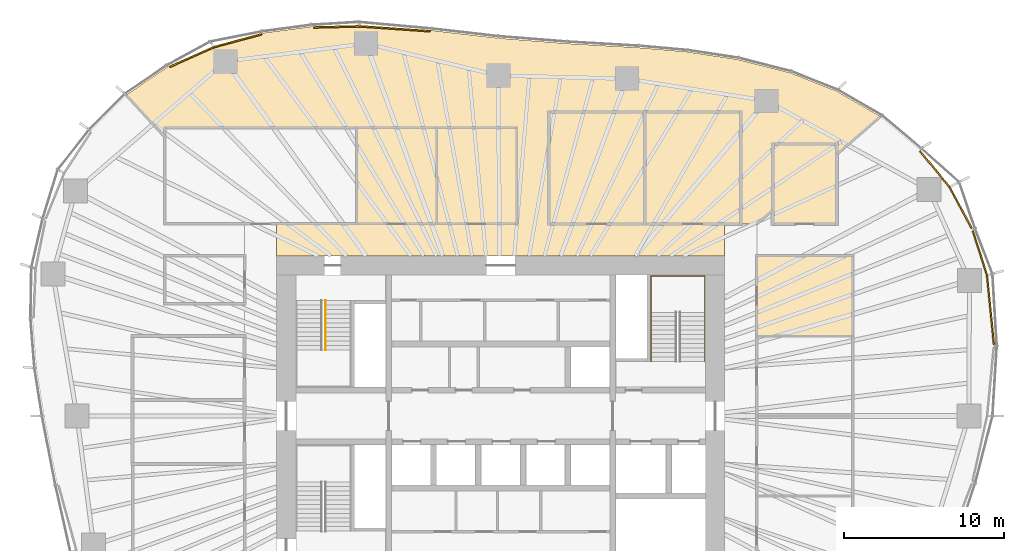
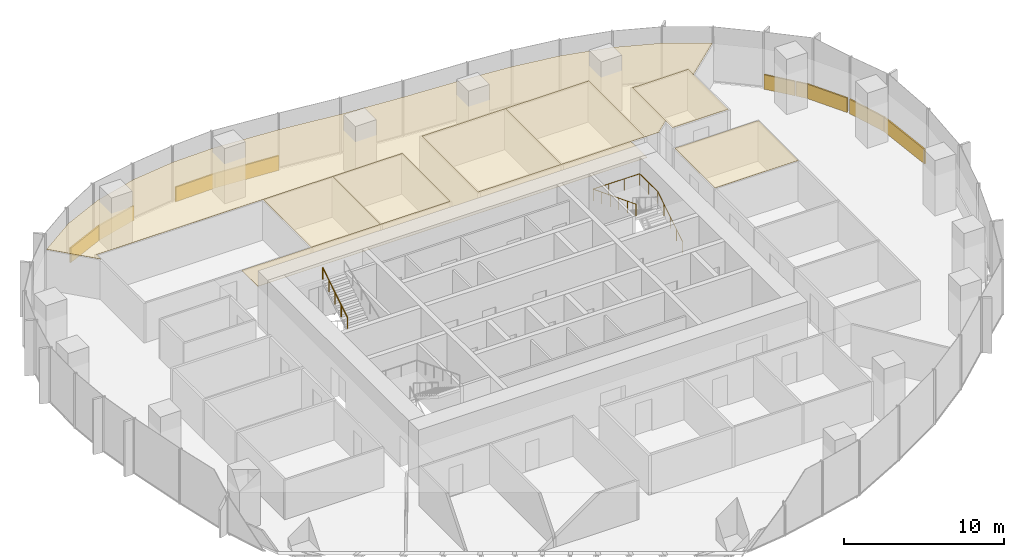
# One storey, part 18 of 18: 16 coverings, 2 railings.
"""IFC4 building model written with IfcOpenShell, lengths in metres."""

from ifc_helpers import new_model, si_unit, direction, frame, origin, origin_2d, place, context, subcontext, project, spatial, polyline, rectangle, circle, outline, extrude, material, layer, layer_set, type_object, element, save


model = new_model("IFC4")

# Units and contexts
model_context = context("Model", 3, precision=1e-05, world=origin(), true_north=direction((0.0, 1.0)))
body_context = subcontext(model_context, "Body", "Model", "MODEL_VIEW")
ifc_project = project(units=[si_unit("LENGTHUNIT", "METRE"), si_unit("AREAUNIT", "SQUARE_METRE"), si_unit("VOLUMEUNIT", "CUBIC_METRE"), si_unit("PLANEANGLEUNIT", "RADIAN"), si_unit("MASSUNIT", "GRAM", prefix="KILO")], contexts=[model_context])

# Site, building, storey
site_placement = place(None, origin())
site = spatial("IfcSite", under=ifc_project, at=site_placement, CompositionType="ELEMENT")
building_placement = place(site_placement, origin())
building = spatial("IfcBuilding", under=site, at=building_placement, Name="Ghaith Harvest Tower", CompositionType="ELEMENT")
storey_placement = place(building_placement, frame((0.0, 0.0, 130.199951171875)))
storey = spatial("IfcBuildingStorey", under=building, at=storey_placement, Name="L27", CompositionType="ELEMENT", Elevation=130.199951171875)

# Coverings
ifc_material_1 = material(Name="Mineral fibre ceiling tile", Category="gypsum")
ifc_layer_1 = layer(ifc_material_1, 0.02001953125)
ifc_layer_set_1 = layer_set([ifc_layer_1], Name="CEILING C1")
covering_type_1 = type_object("IfcCoveringType", Name="CEILING C1", PredefinedType="CEILING", material=ifc_layer_set_1)
covering_1_placement = place(storey_placement, frame((0.0, 0.0, 3.0)))
element("IfcCovering", 1, at=covering_1_placement, inside=storey, type_object=covering_type_1, Name="Ceiling L27-02", PredefinedType="CEILING", context=body_context, shape_type="SweptSolid", body=[
    extrude(outline(polyline([(-9.0, 12.0), (-4.0, 12.0), (-4.0, 18.0), (-9.0, 18.0), (-9.0, 12.0)])), origin(), (0.0, 0.0, 1.0), 0.02001953125),
])
covering_2_placement = place(storey_placement, frame((0.0, 0.0, 3.0)))
element("IfcCovering", 2, at=covering_2_placement, inside=storey, type_object=covering_type_1, Name="Ceiling L27-03", PredefinedType="CEILING", context=body_context, shape_type="SweptSolid", body=[
    extrude(outline(polyline([(-4.0, 12.0), (1.0, 12.0), (1.0, 18.0), (-4.0, 18.0), (-4.0, 12.0)])), origin(), (0.0, 0.0, 1.0), 0.02001953125),
])
covering_3_placement = place(storey_placement, frame((0.0, 0.0, 3.0)))
element("IfcCovering", 3, at=covering_3_placement, inside=storey, type_object=covering_type_1, Name="Ceiling L27-04", PredefinedType="CEILING", context=body_context, shape_type="SweptSolid", body=[
    extrude(outline(polyline([(3.0, 12.0), (9.0, 12.0), (9.0, 19.0), (3.0, 19.0), (3.0, 12.0)])), origin(), (0.0, 0.0, 1.0), 0.02001953125),
])
covering_4_placement = place(storey_placement, frame((0.0, 0.0, 3.0)))
element("IfcCovering", 4, at=covering_4_placement, inside=storey, type_object=covering_type_1, Name="Ceiling L27-05", PredefinedType="CEILING", context=body_context, shape_type="SweptSolid", body=[
    extrude(outline(polyline([(9.0, 12.0), (15.0, 12.0), (15.0, 19.0), (9.0, 19.0), (9.0, 12.0)])), origin(), (0.0, 0.0, 1.0), 0.02001953125),
])
covering_5_placement = place(storey_placement, frame((0.0, 0.0, 3.0)))
element("IfcCovering", 5, at=covering_5_placement, inside=storey, type_object=covering_type_1, Name="Ceiling L27-09", PredefinedType="CEILING", context=body_context, shape_type="SweptSolid", body=[
    extrude(outline(polyline([(16.0, 5.0), (22.0, 5.0), (22.0, 10.0), (16.0, 10.0), (16.0, 5.0)])), origin(), (0.0, 0.0, 1.0), 0.02001953125),
])
covering_6_placement = place(storey_placement, frame((0.0, 0.0, 3.0)))
element("IfcCovering", 6, at=covering_6_placement, inside=storey, type_object=covering_type_1, Name="Ceiling L27-18", PredefinedType="CEILING", context=body_context, shape_type="SweptSolid", body=[
    extrude(outline(polyline([(17.0, 12.0), (21.0, 12.0), (21.0, 17.0), (17.0, 17.0), (17.0, 12.0)])), origin(), (0.0, 0.0, 1.0), 0.02001953125),
])
covering_7_placement = place(storey_placement, frame((0.0, 0.0, 3.0)))
element("IfcCovering", 7, at=covering_7_placement, inside=storey, type_object=covering_type_1, Name="Ceiling L27-N1", PredefinedType="CEILING", context=body_context, shape_type="SweptSolid", body=[
    extrude(outline(polyline([(-20.79248046875, 21.82470703125), (-17.938232421875, 23.097412109375), (-14.860595703125, 23.927978515625), (-11.788818359375, 24.331787109375), (-8.814208984375, 24.404541015625), (-4.302001953125, 24.089111328125), (-0.16162109375, 23.609619140625), (4.125732421875, 23.272705078125), (8.604736328125, 23.017333984375), (11.617919921875, 22.757080078125), (14.79833984375, 22.27978515625), (18.0849609375, 21.4462890625), (20.97998046875, 20.3056640625), (23.7275390625, 18.718017578125), (21.0, 16.3466796875), (21.0, 17.0), (17.0, 17.0), (17.0, 12.869384765625), (16.0, 12.0), (15.0, 12.0), (15.0, 19.0), (3.0, 19.0), (3.0, 12.0), (14.0, 12.0), (14.0, 10.0), (-14.0, 10.0), (-14.0, 12.0), (1.0, 12.0), (1.0, 18.0), (-21.0, 18.0), (-21.0, 17.447998046875), (-23.398193359375, 20.06103515625), (-20.79248046875, 21.82470703125)])), origin(), (0.0, 0.0, 1.0), 0.02001953125),
])

# Railings
ifc_material_2 = material(Name="Steel, black powder-coated", Category="steel")
railing_type = type_object("IfcRailingType", Name="HANDRAIL HR1", PredefinedType="HANDRAIL", material=ifc_material_2)
railing_1_placement = place(storey_placement, frame((-10.949951171875, 4.1201171875, 2.275146484375)))
element("IfcRailing", 8, at=railing_1_placement, inside=storey, type_object=railing_type, Name="Handrail HR1 stair ST1 L27 flight 2 inner", PredefinedType="HANDRAIL", context=body_context, shape_type="SweptSolid", body=[
    extrude(circle(Radius=0.02392578125, at=origin_2d()), frame((0.0, 0.0, 0.8759765625), z_axis=(0.0, 0.848009633417, 0.529980812513), x_axis=(-1.0, 0.0, 0.0)), (0.0, 0.0, 1.0), 3.6318359375),
    extrude(circle(Radius=0.02099609375, at=origin_2d()), origin(), (0.0, 0.0, 1.0), 0.851806640625),
    extrude(circle(Radius=0.02099609375, at=origin_2d()), frame((0.0, 0.77001953125, 0.481201171875)), (0.0, 0.0, 1.0), 0.851806640625),
    extrude(circle(Radius=0.02099609375, at=origin_2d()), frame((0.0, 1.5400390625, 0.96240234375)), (0.0, 0.0, 1.0), 0.851806640625),
    extrude(circle(Radius=0.02099609375, at=origin_2d()), frame((0.0, 2.309814453125, 1.443603515625)), (0.0, 0.0, 1.0), 0.851806640625),
    extrude(circle(Radius=0.02099609375, at=origin_2d()), frame((0.0, 3.079833984375, 1.9248046875)), (0.0, 0.0, 1.0), 0.851806640625),
])
railing_2_placement = place(storey_placement, frame((12.75, 3.39990234375, 0.175048828125)))
element("IfcRailing", 9, at=railing_2_placement, inside=storey, type_object=railing_type, Name="Handrail HR1 stair ST2 L27 wall side", PredefinedType="HANDRAIL", context=body_context, shape_type="SweptSolid", body=[
    extrude(circle(Radius=0.02392578125, at=origin_2d()), frame((0.0, 0.0, 0.8759765625), z_axis=(0.0, 0.847998304005, 0.529998940003), x_axis=(-1.0, 0.0, 0.0)), (0.0, 0.0, 1.0), 3.632080078125),
    extrude(circle(Radius=0.02392578125, at=origin_2d()), frame((0.0, 3.080078125, 2.80078125), z_axis=(0.0, 1.0, 0.0), x_axis=(-1.0, 0.0, 0.0)), (0.0, 0.0, 1.0), 2.27001953125),
    extrude(circle(Radius=0.02392578125, at=origin_2d()), frame((0.0, 5.35009765625, 2.80078125), z_axis=(-1.0, 0.0, 0.0), x_axis=(0.0, -1.0, 0.0)), (0.0, 0.0, 1.0), 3.35009765625),
    extrude(circle(Radius=0.02392578125, at=origin_2d()), frame((-3.35009765625, 5.35009765625, 2.80078125), z_axis=(0.0, -0.930868132128, 0.365355334692), x_axis=(1.0, 0.0, 0.0)), (0.0, 0.0, 1.0), 5.747314453125),
    extrude(circle(Radius=0.02099609375, at=origin_2d()), origin(), (0.0, 0.0, 1.0), 0.851806640625),
    extrude(circle(Radius=0.02099609375, at=origin_2d()), frame((0.0, 0.77001953125, 0.481201171875)), (0.0, 0.0, 1.0), 0.851806640625),
    extrude(circle(Radius=0.02099609375, at=origin_2d()), frame((0.0, 1.5400390625, 0.96240234375)), (0.0, 0.0, 1.0), 0.851806640625),
    extrude(circle(Radius=0.02099609375, at=origin_2d()), frame((0.0, 2.31005859375, 1.44384765625)), (0.0, 0.0, 1.0), 0.851806640625),
    extrude(circle(Radius=0.02099609375, at=origin_2d()), frame((0.0, 3.080078125, 1.925048828125)), (0.0, 0.0, 1.0), 0.851806640625),
    extrude(circle(Radius=0.02099609375, at=origin_2d()), frame((0.0, 4.215087890625, 1.925048828125)), (0.0, 0.0, 1.0), 0.851806640625),
    extrude(circle(Radius=0.02099609375, at=origin_2d()), frame((0.0, 5.35009765625, 1.925048828125)), (0.0, 0.0, 1.0), 0.851806640625),
    extrude(circle(Radius=0.02099609375, at=origin_2d()), frame((-1.11669921875, 5.35009765625, 1.925048828125)), (0.0, 0.0, 1.0), 0.851806640625),
    extrude(circle(Radius=0.02099609375, at=origin_2d()), frame((-2.2333984375, 5.35009765625, 1.925048828125)), (0.0, 0.0, 1.0), 0.851806640625),
    extrude(circle(Radius=0.02099609375, at=origin_2d()), frame((-3.35009765625, 5.35009765625, 1.925048828125)), (0.0, 0.0, 1.0), 0.851806640625),
    extrude(circle(Radius=0.02099609375, at=origin_2d()), frame((-3.35009765625, 4.280029296875, 2.344970703125)), (0.0, 0.0, 1.0), 0.851806640625),
    extrude(circle(Radius=0.02099609375, at=origin_2d()), frame((-3.35009765625, 3.2099609375, 2.764892578125)), (0.0, 0.0, 1.0), 0.851806640625),
    extrude(circle(Radius=0.02099609375, at=origin_2d()), frame((-3.35009765625, 2.14013671875, 3.18505859375)), (0.0, 0.0, 1.0), 0.851806640625),
    extrude(circle(Radius=0.02099609375, at=origin_2d()), frame((-3.35009765625, 1.070068359375, 3.60498046875)), (0.0, 0.0, 1.0), 0.851806640625),
    extrude(circle(Radius=0.02099609375, at=origin_2d()), frame((-3.35009765625, 0.0, 4.02490234375)), (0.0, 0.0, 1.0), 0.851806640625),
])

# Coverings
ifc_material_3 = material(Name="Insulated aluminium spandrel panel on steel framing", Category="steel")
ifc_layer_2 = layer(ifc_material_3, 0.10009765625)
ifc_layer_set_2 = layer_set([ifc_layer_2], Name="SLAB EDGE UPSTAND 1100x100")
covering_type_2 = type_object("IfcCoveringType", Name="SLAB EDGE UPSTAND 1100x100", PredefinedType="CLADDING", material=ifc_layer_set_2)
covering_8_placement = place(storey_placement, frame((30.604736328125, 6.630126953125, 0.0), z_axis=(0.0, 0.0, 1.0), x_axis=(-0.099131765681, 0.995074315332, 0.0)))
element("IfcCovering", 10, at=covering_8_placement, inside=storey, type_object=covering_type_2, Name="Slab edge upstand 2 bay 01 L27", PredefinedType="CLADDING", context=body_context, shape_type="SweptSolid", body=[
    extrude(rectangle(XDim=4.346435546875, YDim=0.10009765625, at=origin_2d()), origin(), (0.0, 0.0, 1.0), 1.10009765625),
])
covering_9_placement = place(storey_placement, frame((29.948486328125, 10.171875, 0.0), z_axis=(0.0, 0.0, 1.0), x_axis=(-0.303716894855, 0.952762324916, 0.0)))
element("IfcCovering", 11, at=covering_9_placement, inside=storey, type_object=covering_type_2, Name="Slab edge upstand 1 bay 02 L27", PredefinedType="CLADDING", context=body_context, shape_type="SweptSolid", body=[
    extrude(rectangle(XDim=2.916748046875, YDim=0.10009765625, at=origin_2d()), origin(), (0.0, 0.0, 1.0), 1.10009765625),
])
covering_10_placement = place(storey_placement, frame((28.738037109375, 13.018798828125, 0.0), z_axis=(0.0, 0.0, 1.0), x_axis=(-0.475408661811, 0.87976508471, 0.0)))
element("IfcCovering", 12, at=covering_10_placement, inside=storey, type_object=covering_type_2, Name="Slab edge upstand 2 bay 02 L27", PredefinedType="CLADDING", context=body_context, shape_type="SweptSolid", body=[
    extrude(rectangle(XDim=2.91650390625, YDim=0.10009765625, at=origin_2d()), origin(), (0.0, 0.0, 1.0), 1.10009765625),
])
covering_11_placement = place(storey_placement, frame((27.806396484375, 14.592041015625, 0.0), z_axis=(0.0, 0.0, 1.0), x_axis=(-0.632969558548, 0.774176683937, 0.0)))
element("IfcCovering", 13, at=covering_11_placement, inside=storey, type_object=covering_type_2, Name="Slab edge upstand 3 bay 02 L27", PredefinedType="CLADDING", context=body_context, shape_type="SweptSolid", body=[
    extrude(rectangle(XDim=0.77001953125, YDim=0.10009765625, at=origin_2d()), origin(), (0.0, 0.0, 1.0), 1.10009765625),
])
covering_12_placement = place(storey_placement, frame((26.863525390625, 15.7451171875, 0.0), z_axis=(0.0, 0.0, 1.0), x_axis=(-0.632969558548, 0.774176683937, 0.0)))
element("IfcCovering", 14, at=covering_12_placement, inside=storey, type_object=covering_type_2, Name="Slab edge upstand 3 bay 02 L27", PredefinedType="CLADDING", context=body_context, shape_type="SweptSolid", body=[
    extrude(rectangle(XDim=2.083740234375, YDim=0.10009765625, at=origin_2d()), origin(), (0.0, 0.0, 1.0), 1.10009765625),
])
covering_13_placement = place(storey_placement, frame((-6.611572265625, 24.200439453125, 0.0), z_axis=(0.0, 0.0, 1.0), x_axis=(-0.997566199698, 0.069725728542, 0.0)))
element("IfcCovering", 15, at=covering_13_placement, inside=storey, type_object=covering_type_2, Name="Slab edge upstand 2 bay 06 L27", PredefinedType="CLADDING", context=body_context, shape_type="SweptSolid", body=[
    extrude(rectangle(XDim=4.42333984375, YDim=0.10009765625, at=origin_2d()), origin(), (0.0, 0.0, 1.0), 1.10009765625),
])
covering_14_placement = place(storey_placement, frame((-10.25048828125, 24.3193359375, 0.0), z_axis=(0.0, 0.0, 1.0), x_axis=(-0.999700846757, -0.024458474865, 0.0)))
element("IfcCovering", 16, at=covering_14_placement, inside=storey, type_object=covering_type_2, Name="Slab edge upstand 1 bay 07 L27", PredefinedType="CLADDING", context=body_context, shape_type="SweptSolid", body=[
    extrude(rectangle(XDim=2.87548828125, YDim=0.10009765625, at=origin_2d()), origin(), (0.0, 0.0, 1.0), 1.10009765625),
])
covering_15_placement = place(storey_placement, frame((-16.4345703125, 23.451416015625, 0.0), z_axis=(0.0, 0.0, 1.0), x_axis=(-0.965455035926, -0.260569709685, 0.0)))
element("IfcCovering", 17, at=covering_15_placement, inside=storey, type_object=covering_type_2, Name="Slab edge upstand 3 bay 07 L27", PredefinedType="CLADDING", context=body_context, shape_type="SweptSolid", body=[
    extrude(rectangle(XDim=3.087890625, YDim=0.10009765625, at=origin_2d()), origin(), (0.0, 0.0, 1.0), 1.10009765625),
])
covering_16_placement = place(storey_placement, frame((-19.29931640625, 22.435791015625, 0.0), z_axis=(0.0, 0.0, 1.0), x_axis=(-0.913334621001, -0.40720986, 0.0)))
element("IfcCovering", 18, at=covering_16_placement, inside=storey, type_object=covering_type_2, Name="Slab edge upstand 1 bay 08 L27", PredefinedType="CLADDING", context=body_context, shape_type="SweptSolid", body=[
    extrude(rectangle(XDim=3.025146484375, YDim=0.10009765625, at=origin_2d()), origin(), (0.0, 0.0, 1.0), 1.10009765625),
])

save(model, "model.ifc")
